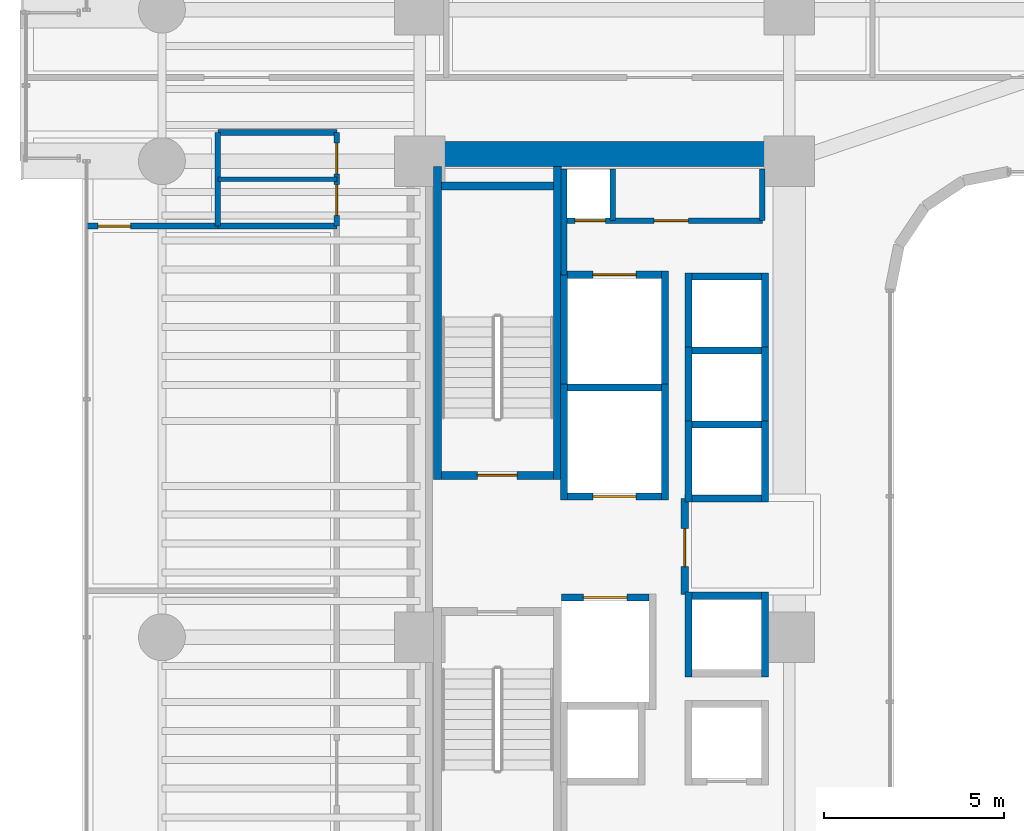
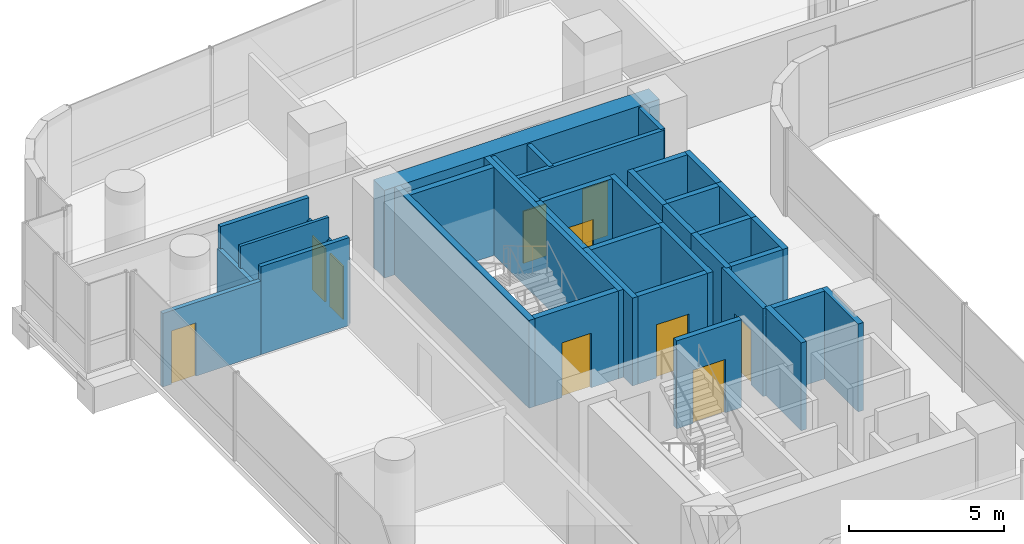
# One storey, part 32 of 40: 37 walls, 10 doors, 10 openings.
"""IFC4 building model written with IfcOpenShell, lengths in metres."""

from ifc_helpers import new_model, si_unit, direction, frame, frame_2d, origin, place, context, subcontext, project, spatial, rectangle, extrude, material, layer, layer_set, type_object, element, fill, save


model = new_model("IFC4")

# Units and contexts
model_context = context("Model", 3, precision=1e-05, world=origin(), true_north=direction((0.0, 1.0)))
body_context = subcontext(model_context, "Body", "Model", "MODEL_VIEW")
ifc_project = project(units=[si_unit("LENGTHUNIT", "METRE"), si_unit("AREAUNIT", "SQUARE_METRE"), si_unit("VOLUMEUNIT", "CUBIC_METRE"), si_unit("PLANEANGLEUNIT", "RADIAN"), si_unit("MASSUNIT", "GRAM", prefix="KILO")], contexts=[model_context])

# Site, building, storey
site_placement = place(None, origin())
site = spatial("IfcSite", under=ifc_project, at=site_placement, CompositionType="ELEMENT")
building_placement = place(site_placement, origin())
building = spatial("IfcBuilding", under=site, at=building_placement, Name="Valdorenza Pilgrim Sanctuary Tower", CompositionType="ELEMENT")
storey_placement = place(building_placement, frame((0.0, 0.0, 51.89990234375)))
storey = spatial("IfcBuildingStorey", under=building, at=storey_placement, Name="L12", CompositionType="ELEMENT", Elevation=51.89990234375)

# Wall
ifc_material_1 = material(Name="Acoustic twin-stud gypsum partition", Category="gypsum")
ifc_layer_1 = layer(ifc_material_1, 0.159912109375, Name="Acoustic twin-stud gypsum partition")
ifc_layer_set_1 = layer_set([ifc_layer_1], Name="Acoustic twin-stud gypsum partition")
wall_type_1 = type_object("IfcWallType", Name="WAL-COR-160", PredefinedType="PARTITIONING", material=ifc_layer_set_1)
wall_1_placement = place(storey_placement, frame((-18.64990234375, 7.449951171875, 0.0), z_axis=(0.0, 0.0, 1.0), x_axis=(0.0, 1.0, 0.0)))
element("IfcWall", 1, at=wall_1_placement, inside=storey, type_object=wall_type_1, Name="L12 Core A North Service West Wall", PredefinedType="PARTITIONING", context=body_context, shape_type="SweptSolid", body=[
    extrude(rectangle(XDim=2.929931640625, YDim=0.159912109375, at=frame_2d((1.46484375, 0.0))), origin(), (0.0, 0.0, 1.0), 3.460205078125),
])

# Wall, openings, doors
wall_2_placement = place(storey_placement, frame((-18.64990234375, 8.949951171875, 0.0), z_axis=(0.0, 0.0, 1.0), x_axis=(1.0, 0.0, 0.0)))
wall_2 = element("IfcWall", 2, at=wall_2_placement, inside=storey, type_object=wall_type_1, Name="L12 Core A North Service South Wall", PredefinedType="PARTITIONING", context=body_context, shape_type="SweptSolid", body=[
    extrude(rectangle(XDim=5.5, YDim=0.159912109375, at=frame_2d((2.75, 0.0))), origin(), (0.0, 0.0, 1.0), 3.460205078125),
])
opening_1_placement = place(wall_2_placement, frame((0.300048828125, 0.0, 0.0)))
opening_1 = element("IfcOpeningElement", 3, at=opening_1_placement, cuts=wall_2, Name="Opening DR-RS1", PredefinedType="OPENING", context=body_context, shape_type="SweptSolid", body=[
    extrude(rectangle(XDim=0.85009765625, YDim=2.050048828125, at=frame_2d((0.425048828125, 1.02490234375))), frame((0.0, 0.0947265625, 0.0), z_axis=(0.0, -1.0, 0.0), x_axis=(1.0, 0.0, 0.0)), (0.0, 0.0, 1.0), 0.189697265625),
])
opening_2_placement = place(wall_2_placement, frame((2.5, 0.0, 0.0)))
opening_2 = element("IfcOpeningElement", 4, at=opening_2_placement, cuts=wall_2, Name="Opening DR-UN1", PredefinedType="OPENING", context=body_context, shape_type="SweptSolid", body=[
    extrude(rectangle(XDim=0.949951171875, YDim=2.14990234375, at=frame_2d((0.47509765625, 1.074951171875))), frame((0.0, 0.0947265625, 0.0), z_axis=(0.0, -1.0, 0.0), x_axis=(1.0, 0.0, 0.0)), (0.0, 0.0, 1.0), 0.189697265625),
])
ifc_material_2 = material(Name="Painted galvanized steel", Category="steel")
door_type_1 = type_object("IfcDoorType", Name="DR-RSR-850", OperationType="NOTDEFINED", PredefinedType="DOOR", material=ifc_material_2)
door_1_placement = place(opening_1_placement, origin())
door_1 = element("IfcDoor", 5, at=door_1_placement, inside=storey, type_object=door_type_1, Name="L12 Core Electrical and Telecom Riser Door", OperationType="SINGLE_SWING_LEFT", OverallHeight=2.050048828125, OverallWidth=0.85009765625, PredefinedType="DOOR", context=body_context, shape_type="SweptSolid", body=[
    extrude(rectangle(XDim=0.85009765625, YDim=2.050048828125, at=frame_2d((0.425048828125, 1.02490234375))), frame((0.0, 0.02490234375, 0.0), z_axis=(0.0, -1.0, 0.0), x_axis=(1.0, 0.0, 0.0)), (0.0, 0.0, 1.0), 0.050048828125),
])
fill(opening_1, door_1)
ifc_material_3 = material(Name="Solid-core European oak timber", Category="wood")
door_type_2 = type_object("IfcDoorType", Name="DR-UNIT-950", OperationType="NOTDEFINED", PredefinedType="DOOR", material=ifc_material_3)
door_2_placement = place(opening_2_placement, origin())
door_2 = element("IfcDoor", 6, at=door_2_placement, inside=storey, type_object=door_type_2, Name="L12 Housekeeping and Clean Linen Room Door", OperationType="SINGLE_SWING_RIGHT", OverallHeight=2.14990234375, OverallWidth=0.949951171875, PredefinedType="DOOR", context=body_context, shape_type="SweptSolid", body=[
    extrude(rectangle(XDim=0.949951171875, YDim=2.14990234375, at=frame_2d((0.47509765625, 1.074951171875))), frame((0.0, 0.02490234375, 0.0), z_axis=(0.0, -1.0, 0.0), x_axis=(1.0, 0.0, 0.0)), (0.0, 0.0, 1.0), 0.050048828125),
])
fill(opening_2, door_2)

# Walls
for number, where, z_axis, x_axis, name in (
    (7, (-13.14990234375, 8.949951171875, 0.0), (0.0, 0.0, 1.0), (0.0, 1.0, 0.0), "L12 Core A North Service East Wall"),
    (8, (-17.300048828125, 8.949951171875, 0.0), (0.0, 0.0, 1.0), (0.0, 1.0, 0.0), "L12 Core Electrical Riser Wall"),
):
    element("IfcWall", number, at=place(storey_placement, frame(where, z_axis=z_axis, x_axis=x_axis)), inside=storey, type_object=wall_type_1, Name=name, PredefinedType="PARTITIONING", context=body_context, shape_type="SweptSolid", body=[
        extrude(rectangle(XDim=1.429931640625, YDim=0.159912109375, at=frame_2d((0.71484375, 0.0))), origin(), (0.0, 0.0, 1.0), 3.460205078125),
    ])
wall_3_placement = place(storey_placement, frame((-28.25, 8.800048828125, 0.0), z_axis=(0.0, 0.0, 1.0), x_axis=(0.0, 1.0, 0.0)))
element("IfcWall", 9, at=wall_3_placement, inside=storey, type_object=wall_type_1, Name="L12 Washroom West Wall", PredefinedType="PARTITIONING", context=body_context, shape_type="SweptSolid", body=[
    extrude(rectangle(XDim=2.599853515625, YDim=0.159912109375, at=frame_2d((1.2998046875, 0.0))), origin(), (0.0, 0.0, 1.0), 2.5830078125),
])

# Wall, openings, doors
wall_4_placement = place(storey_placement, frame((-24.949951171875, 8.800048828125, 0.0), z_axis=(0.0, 0.0, 1.0), x_axis=(0.0, 1.0, 0.0)))
wall_4 = element("IfcWall", 10, at=wall_4_placement, inside=storey, type_object=wall_type_1, Name="L12 Washroom East Wall", PredefinedType="PARTITIONING", context=body_context, shape_type="SweptSolid", body=[
    extrude(rectangle(XDim=2.599853515625, YDim=0.159912109375, at=frame_2d((1.2998046875, 0.0))), origin(), (0.0, 0.0, 1.0), 2.5830078125),
])
opening_3_placement = place(wall_4_placement, frame((0.300048828125, 0.0, 0.0)))
opening_3 = element("IfcOpeningElement", 11, at=opening_3_placement, cuts=wall_4, Name="Opening DR-WC1", PredefinedType="OPENING", context=body_context, shape_type="SweptSolid", body=[
    extrude(rectangle(XDim=0.85009765625, YDim=2.10009765625, at=frame_2d((0.425048828125, 1.050048828125))), frame((0.0, 0.0947265625, 0.0), z_axis=(0.0, -1.0, 0.0), x_axis=(1.0, 0.0, 0.0)), (0.0, 0.0, 1.0), 0.189697265625),
])
opening_4_placement = place(wall_4_placement, frame((1.449951171875, 0.0, 0.0)))
opening_4 = element("IfcOpeningElement", 12, at=opening_4_placement, cuts=wall_4, Name="Opening DR-WC1", PredefinedType="OPENING", context=body_context, shape_type="SweptSolid", body=[
    extrude(rectangle(XDim=0.85009765625, YDim=2.10009765625, at=frame_2d((0.425048828125, 1.050048828125))), frame((0.0, 0.0947265625, 0.0), z_axis=(0.0, -1.0, 0.0), x_axis=(1.0, 0.0, 0.0)), (0.0, 0.0, 1.0), 0.189697265625),
])
ifc_material_4 = material(Name="Moisture-resistant lacquered timber", Category="wood")
door_type_3 = type_object("IfcDoorType", Name="DR-BATH-850", OperationType="NOTDEFINED", PredefinedType="DOOR", material=ifc_material_4)
door_3_placement = place(opening_3_placement, origin())
door_3 = element("IfcDoor", 13, at=door_3_placement, inside=storey, type_object=door_type_3, Name="L12 Accessible Washroom Door", OperationType="SINGLE_SWING_LEFT", OverallHeight=2.10009765625, OverallWidth=0.85009765625, PredefinedType="DOOR", context=body_context, shape_type="SweptSolid", body=[
    extrude(rectangle(XDim=0.85009765625, YDim=2.10009765625, at=frame_2d((0.425048828125, 1.050048828125))), frame((0.0, 0.02490234375, 0.0), z_axis=(0.0, -1.0, 0.0), x_axis=(1.0, 0.0, 0.0)), (0.0, 0.0, 1.0), 0.050048828125),
])
fill(opening_3, door_3)
door_4_placement = place(opening_4_placement, origin())
door_4 = element("IfcDoor", 14, at=door_4_placement, inside=storey, type_object=door_type_3, Name="L12 Public Washroom Door", OperationType="SINGLE_SWING_RIGHT", OverallHeight=2.10009765625, OverallWidth=0.85009765625, PredefinedType="DOOR", context=body_context, shape_type="SweptSolid", body=[
    extrude(rectangle(XDim=0.85009765625, YDim=2.10009765625, at=frame_2d((0.425048828125, 1.050048828125))), frame((0.0, 0.02490234375, 0.0), z_axis=(0.0, -1.0, 0.0), x_axis=(1.0, 0.0, 0.0)), (0.0, 0.0, 1.0), 0.050048828125),
])
fill(opening_4, door_4)

# Walls
for number, where, z_axis, x_axis, name in (
    (15, (-28.25, 8.800048828125, 0.0), (0.0, 0.0, 1.0), (1.0, 0.0, 0.0), "L12 Washroom South Wall"),
    (16, (-28.25, 11.39990234375, 0.0), (0.0, 0.0, 1.0), (1.0, 0.0, 0.0), "L12 Washroom North Wall"),
):
    element("IfcWall", number, at=place(storey_placement, frame(where, z_axis=z_axis, x_axis=x_axis)), inside=storey, type_object=wall_type_1, Name=name, PredefinedType="PARTITIONING", context=body_context, shape_type="SweptSolid", body=[
        extrude(rectangle(XDim=3.300048828125, YDim=0.159912109375, at=frame_2d((1.64990234375, 0.0))), origin(), (0.0, 0.0, 1.0), 3.460205078125),
    ])

# Wall, opening, door
wall_5_placement = place(storey_placement, frame((-31.889892578125, 8.800048828125, 0.0), z_axis=(0.0, 0.0, 1.0), x_axis=(1.0, 0.0, 0.0)))
wall_5 = element("IfcWall", 17, at=wall_5_placement, inside=storey, type_object=wall_type_1, Name="L12 West North Alcove Wall", PredefinedType="PARTITIONING", context=body_context, shape_type="SweptSolid", body=[
    extrude(rectangle(XDim=3.639892578125, YDim=0.159912109375, at=frame_2d((1.81982421875, 0.0))), origin(), (0.0, 0.0, 1.0), 2.89599609375),
])
opening_5_placement = place(wall_5_placement, frame((0.320068359375, 0.0, 0.0)))
opening_5 = element("IfcOpeningElement", 18, at=opening_5_placement, cuts=wall_5, Name="Opening DR-RM1", PredefinedType="OPENING", context=body_context, shape_type="SweptSolid", body=[
    extrude(rectangle(XDim=0.89990234375, YDim=2.10009765625, at=frame_2d((0.449951171875, 1.050048828125))), frame((0.0, 0.0947265625, 0.0), z_axis=(0.0, -1.0, 0.0), x_axis=(1.0, 0.0, 0.0)), (0.0, 0.0, 1.0), 0.189697265625),
])
door_type_4 = type_object("IfcDoorType", Name="DR-ROOM-900", OperationType="NOTDEFINED", PredefinedType="DOOR", material=ifc_material_3)
door_5_placement = place(opening_5_placement, frame((0.89990234375, 0.0, 0.0), z_axis=(0.0, 0.0, 1.0), x_axis=(-1.0, 0.0, 0.0)))
door_5 = element("IfcDoor", 19, at=door_5_placement, inside=storey, type_object=door_type_4, Name="L12 Pilgrim Scholar Office L12-WN Door", OperationType="SINGLE_SWING_LEFT", OverallHeight=2.10009765625, OverallWidth=0.89990234375, PredefinedType="DOOR", context=body_context, shape_type="SweptSolid", body=[
    extrude(rectangle(XDim=0.89990234375, YDim=2.10009765625, at=frame_2d((0.449951171875, 1.050048828125))), frame((0.0, 0.02490234375, 0.0), z_axis=(0.0, -1.0, 0.0), x_axis=(1.0, 0.0, 0.0)), (0.0, 0.0, 1.0), 0.050048828125),
])
fill(opening_5, door_5)

# Wall
ifc_material_5 = material(Name="Concrete C60/75", Category="concrete")
ifc_layer_2 = layer(ifc_material_5, 0.699951171875, Name="Concrete C60/75")
ifc_layer_set_2 = layer_set([ifc_layer_2], Name="Concrete C60/75")
wall_type_2 = type_object("IfcWallType", Name="WAL-COR-700", PredefinedType="SHEAR", material=ifc_layer_set_2)
wall_6_placement = place(storey_placement, frame((-22.64990234375, 10.800048828125, 0.0), z_axis=(0.0, 0.0, 1.0), x_axis=(1.0, 0.0, 0.0)))
element("IfcWall", 20, at=wall_6_placement, inside=storey, type_object=wall_type_2, Name="L12 Split Core A Shear Wall N", PredefinedType="SHEAR", context=body_context, shape_type="SweptSolid", body=[
    extrude(rectangle(XDim=10.25, YDim=0.699951171875, at=frame_2d((5.125, 0.0))), origin(), (0.0, 0.0, 1.0), 3.460205078125),
])

# Wall, opening, door
ifc_material_6 = material(Name="Gypsum shaftwall partition", Category="gypsum")
ifc_layer_3 = layer(ifc_material_6, 0.199951171875, Name="Gypsum shaftwall partition")
ifc_layer_set_3 = layer_set([ifc_layer_3], Name="Gypsum shaftwall partition")
wall_type_3 = type_object("IfcWallType", Name="WAL-FFL-200", PredefinedType="PARTITIONING", material=ifc_layer_set_3)
wall_7_placement = place(storey_placement, frame((-15.300048828125, -1.419921875, 0.0), z_axis=(0.0, 0.0, 1.0), x_axis=(0.0, 1.0, 0.0)))
wall_7 = element("IfcWall", 21, at=wall_7_placement, inside=storey, type_object=wall_type_3, Name="L12 Core A Firefighting Lobby East Wall", PredefinedType="PARTITIONING", context=body_context, shape_type="SweptSolid", body=[
    extrude(rectangle(XDim=2.669921875, YDim=0.199951171875, at=frame_2d((1.3349609375, 0.0))), origin(), (0.0, 0.0, 1.0), 3.460205078125),
])
opening_6_placement = place(wall_7_placement, frame((0.780029296875, 0.0, 0.0)))
opening_6 = element("IfcOpeningElement", 22, at=opening_6_placement, cuts=wall_7, Name="Opening DR-FL1", PredefinedType="OPENING", context=body_context, shape_type="SweptSolid", body=[
    extrude(rectangle(XDim=1.050048828125, YDim=2.14990234375, at=frame_2d((0.52490234375, 1.074951171875))), frame((0.0, 0.11474609375, 0.0), z_axis=(0.0, -1.0, 0.0), x_axis=(1.0, 0.0, 0.0)), (0.0, 0.0, 1.0), 0.229736328125),
])
door_type_5 = type_object("IfcDoorType", Name="DR-FFL-1050", OperationType="NOTDEFINED", PredefinedType="DOOR", material=ifc_material_2)
door_6_placement = place(opening_6_placement, origin())
door_6 = element("IfcDoor", 23, at=door_6_placement, inside=storey, type_object=door_type_5, Name="L12 Core A Firefighting Lobby Door", OperationType="SINGLE_SWING_RIGHT", OverallHeight=2.14990234375, OverallWidth=1.050048828125, PredefinedType="DOOR", context=body_context, shape_type="SweptSolid", body=[
    extrude(rectangle(XDim=1.050048828125, YDim=2.14990234375, at=frame_2d((0.52490234375, 1.074951171875))), frame((0.0, 0.02490234375, 0.0), z_axis=(0.0, -1.0, 0.0), x_axis=(1.0, 0.0, 0.0)), (0.0, 0.0, 1.0), 0.050048828125),
])
fill(opening_6, door_6)

# Walls
ifc_material_7 = material(Name="Moisture-resistant gypsum partition", Category="gypsum")
ifc_layer_4 = layer(ifc_material_7, 0.1201171875, Name="Moisture-resistant gypsum partition")
ifc_layer_set_4 = layer_set([ifc_layer_4], Name="Moisture-resistant gypsum partition")
wall_type_4 = type_object("IfcWallType", Name="WAL-INT-120", PredefinedType="PARTITIONING", material=ifc_layer_set_4)
wall_8_placement = place(storey_placement, frame((-28.25, 10.10009765625, 0.0), z_axis=(0.0, 0.0, 1.0), x_axis=(1.0, 0.0, 0.0)))
element("IfcWall", 24, at=wall_8_placement, inside=storey, type_object=wall_type_4, Name="L12 Washroom Divider Wall", PredefinedType="PARTITIONING", context=body_context, shape_type="SweptSolid", body=[
    extrude(rectangle(XDim=3.300048828125, YDim=0.1201171875, at=frame_2d((1.64990234375, 0.0))), origin(), (0.0, 0.0, 1.0), 3.460205078125),
])
ifc_material_8 = material(Name="Autoclaved aerated concrete blockwork", Category="masonry")
ifc_layer_5 = layer(ifc_material_8, 0.199951171875, Name="Autoclaved aerated concrete blockwork")
ifc_layer_set_5 = layer_set([ifc_layer_5], Name="Autoclaved aerated concrete blockwork")
wall_type_5 = type_object("IfcWallType", Name="WAL-SHF-200", PredefinedType="MOVABLE", material=ifc_layer_set_5)
for number, where, z_axis, x_axis, name in (
    (25, (-18.64990234375, 1.199951171875, 0.0), (0.0, 0.0, 1.0), (0.0, 1.0, 0.0), "L12 Lift FFL-01 Hoistway Wall West"),
    (26, (-15.85009765625, 1.199951171875, 0.0), (0.0, 0.0, 1.0), (0.0, 1.0, 0.0), "L12 Lift FFL-01 Hoistway Wall East"),
):
    element("IfcWall", number, at=place(storey_placement, frame(where, z_axis=z_axis, x_axis=x_axis)), inside=storey, type_object=wall_type_5, Name=name, PredefinedType="MOVABLE", context=body_context, shape_type="SweptSolid", body=[
        extrude(rectangle(XDim=3.22509765625, YDim=0.199951171875, at=frame_2d((1.612548828125, 0.0))), origin(), (0.0, 0.0, 1.0), 3.460205078125),
    ])

# Wall, opening, door
wall_9_placement = place(storey_placement, frame((-18.550048828125, 1.300048828125, 0.0), z_axis=(0.0, 0.0, 1.0), x_axis=(1.0, 0.0, 0.0)))
wall_9 = element("IfcWall", 27, at=wall_9_placement, inside=storey, type_object=wall_type_5, Name="L12 Lift FFL-01 Hoistway Wall South", PredefinedType="MOVABLE", context=body_context, shape_type="SweptSolid", body=[
    extrude(rectangle(XDim=2.60009765625, YDim=0.199951171875, at=frame_2d((1.300048828125, 0.0))), origin(), (0.0, 0.0, 1.0), 3.460205078125),
])
opening_7_placement = place(wall_9_placement, frame((0.699951171875, 0.0, 0.0)))
opening_7 = element("IfcOpeningElement", 28, at=opening_7_placement, cuts=wall_9, Name="Opening LD-02", PredefinedType="OPENING", context=body_context, shape_type="SweptSolid", body=[
    extrude(rectangle(XDim=1.199951171875, YDim=2.10009765625, at=frame_2d((0.60009765625, 1.050048828125))), frame((0.0, 0.11474609375, 0.0), z_axis=(0.0, -1.0, 0.0), x_axis=(1.0, 0.0, 0.0)), (0.0, 0.0, 1.0), 0.229736328125),
])
ifc_material_9 = material(Name="Brushed stainless steel Grade 316", Category="steel")
door_type_6 = type_object("IfcDoorType", Name="DR-LFT-1200", OperationType="DOUBLE_DOOR_SLIDING", PredefinedType="DOOR", material=ifc_material_9)
door_7_placement = place(opening_7_placement, origin())
door_7 = element("IfcDoor", 29, at=door_7_placement, inside=storey, type_object=door_type_6, Name="L12 Lift FFL-01 Sliding Landing Door", OperationType="DOUBLE_DOOR_SLIDING", OverallHeight=2.10009765625, OverallWidth=1.199951171875, PredefinedType="DOOR", context=body_context, shape_type="SweptSolid", body=[
    extrude(rectangle(XDim=1.199951171875, YDim=2.10009765625, at=frame_2d((0.60009765625, 1.050048828125))), frame((0.0, 0.02490234375, 0.0), z_axis=(0.0, -1.0, 0.0), x_axis=(1.0, 0.0, 0.0)), (0.0, 0.0, 1.0), 0.050048828125),
])
fill(opening_7, door_7)

# Wall
wall_10_placement = place(storey_placement, frame((-18.550048828125, 4.324951171875, 0.0), z_axis=(0.0, 0.0, 1.0), x_axis=(1.0, 0.0, 0.0)))
element("IfcWall", 30, at=wall_10_placement, inside=storey, type_object=wall_type_5, Name="L12 Lift FFL-01 Hoistway Wall North", PredefinedType="MOVABLE", context=body_context, shape_type="SweptSolid", body=[
    extrude(rectangle(XDim=2.60009765625, YDim=0.199951171875, at=frame_2d((1.300048828125, 0.0))), origin(), (0.0, 0.0, 1.0), 3.460205078125),
])

# Wall, opening, door
wall_11_placement = place(storey_placement, frame((-18.719970703125, -1.5, 0.0), z_axis=(0.0, 0.0, 1.0), x_axis=(1.0, 0.0, 0.0)))
wall_11 = element("IfcWall", 31, at=wall_11_placement, inside=storey, type_object=wall_type_5, Name="L12 Lift FFL-02 Hoistway Wall North", PredefinedType="MOVABLE", context=body_context, shape_type="SweptSolid", body=[
    extrude(rectangle(XDim=2.419921875, YDim=0.199951171875, at=frame_2d((1.2099609375, 0.0))), origin(), (0.0, 0.0, 1.0), 3.460205078125),
])
opening_8_placement = place(wall_11_placement, frame((0.610107421875, 0.0, 0.0)))
opening_8 = element("IfcOpeningElement", 32, at=opening_8_placement, cuts=wall_11, Name="Opening LD-02", PredefinedType="OPENING", context=body_context, shape_type="SweptSolid", body=[
    extrude(rectangle(XDim=1.199951171875, YDim=2.10009765625, at=frame_2d((0.60009765625, 1.050048828125))), frame((0.0, 0.11474609375, 0.0), z_axis=(0.0, -1.0, 0.0), x_axis=(1.0, 0.0, 0.0)), (0.0, 0.0, 1.0), 0.229736328125),
])
door_8_placement = place(opening_8_placement, origin())
door_8 = element("IfcDoor", 33, at=door_8_placement, inside=storey, type_object=door_type_6, Name="L12 Lift FFL-02 Sliding Landing Door", OperationType="DOUBLE_DOOR_SLIDING", OverallHeight=2.10009765625, OverallWidth=1.199951171875, PredefinedType="DOOR", context=body_context, shape_type="SweptSolid", body=[
    extrude(rectangle(XDim=1.199951171875, YDim=2.10009765625, at=frame_2d((0.60009765625, 1.050048828125))), frame((0.0, 0.02490234375, 0.0), z_axis=(0.0, -1.0, 0.0), x_axis=(1.0, 0.0, 0.0)), (0.0, 0.0, 1.0), 0.050048828125),
])
fill(opening_8, door_8)

# Walls
for number, where, z_axis, x_axis, name in (
    (34, (-18.64990234375, 4.22509765625, 0.0), (0.0, 0.0, 1.0), (0.0, 1.0, 0.0), "L12 Lift SVL-01 Hoistway Wall West"),
    (35, (-15.85009765625, 4.22509765625, 0.0), (0.0, 0.0, 1.0), (0.0, 1.0, 0.0), "L12 Lift SVL-01 Hoistway Wall East"),
):
    element("IfcWall", number, at=place(storey_placement, frame(where, z_axis=z_axis, x_axis=x_axis)), inside=storey, type_object=wall_type_5, Name=name, PredefinedType="MOVABLE", context=body_context, shape_type="SweptSolid", body=[
        extrude(rectangle(XDim=3.324951171875, YDim=0.199951171875, at=frame_2d((1.66259765625, 0.0))), origin(), (0.0, 0.0, 1.0), 3.460205078125),
    ])

# Wall, opening, door
wall_12_placement = place(storey_placement, frame((-18.550048828125, 7.449951171875, 0.0), z_axis=(0.0, 0.0, 1.0), x_axis=(1.0, 0.0, 0.0)))
wall_12 = element("IfcWall", 36, at=wall_12_placement, inside=storey, type_object=wall_type_5, Name="L12 Lift SVL-01 Hoistway Wall North", PredefinedType="MOVABLE", context=body_context, shape_type="SweptSolid", body=[
    extrude(rectangle(XDim=2.60009765625, YDim=0.199951171875, at=frame_2d((1.300048828125, 0.0))), origin(), (0.0, 0.0, 1.0), 3.460205078125),
])
opening_9_placement = place(wall_12_placement, frame((0.699951171875, 0.0, 0.0)))
opening_9 = element("IfcOpeningElement", 37, at=opening_9_placement, cuts=wall_12, Name="Opening LD-02", PredefinedType="OPENING", context=body_context, shape_type="SweptSolid", body=[
    extrude(rectangle(XDim=1.199951171875, YDim=2.10009765625, at=frame_2d((0.60009765625, 1.050048828125))), frame((0.0, 0.11474609375, 0.0), z_axis=(0.0, -1.0, 0.0), x_axis=(1.0, 0.0, 0.0)), (0.0, 0.0, 1.0), 0.229736328125),
])
door_9_placement = place(opening_9_placement, origin())
door_9 = element("IfcDoor", 38, at=door_9_placement, inside=storey, type_object=door_type_6, Name="L12 Lift SVL-01 Sliding Landing Door", OperationType="DOUBLE_DOOR_SLIDING", OverallHeight=2.10009765625, OverallWidth=1.199951171875, PredefinedType="DOOR", context=body_context, shape_type="SweptSolid", body=[
    extrude(rectangle(XDim=1.199951171875, YDim=2.10009765625, at=frame_2d((0.60009765625, 1.050048828125))), frame((0.0, 0.02490234375, 0.0), z_axis=(0.0, -1.0, 0.0), x_axis=(1.0, 0.0, 0.0)), (0.0, 0.0, 1.0), 0.050048828125),
])
fill(opening_9, door_9)

# Walls
for number, where, z_axis, x_axis, name in (
    (39, (-15.199951171875, 1.14990234375, 0.0), (0.0, 0.0, 1.0), (0.0, 1.0, 0.0), "L12 Lift PL-06 Hoistway Wall West"),
    (40, (-13.080078125, 1.14990234375, 0.0), (0.0, 0.0, 1.0), (0.0, 1.0, 0.0), "L12 Lift PL-06 Hoistway Wall East"),
):
    element("IfcWall", number, at=place(storey_placement, frame(where, z_axis=z_axis, x_axis=x_axis)), inside=storey, type_object=wall_type_5, Name=name, PredefinedType="MOVABLE", context=body_context, shape_type="SweptSolid", body=[
        extrude(rectangle(XDim=2.25, YDim=0.199951171875, at=frame_2d((1.125, 0.0))), origin(), (0.0, 0.0, 1.0), 3.460205078125),
    ])
wall_13_placement = place(storey_placement, frame((-15.10009765625, 1.25, 0.0), z_axis=(0.0, 0.0, 1.0), x_axis=(1.0, 0.0, 0.0)))
element("IfcWall", 41, at=wall_13_placement, inside=storey, type_object=wall_type_5, Name="L12 Lift PL-06 Hoistway Wall South", PredefinedType="MOVABLE", context=body_context, shape_type="SweptSolid", body=[
    extrude(rectangle(XDim=1.920166015625, YDim=0.199951171875, at=frame_2d((0.9599609375, 0.0))), origin(), (0.0, 0.0, 1.0), 3.460205078125),
])
for number, where, z_axis, x_axis, name in (
    (42, (-15.199951171875, 3.199951171875, 0.0), (0.0, 0.0, 1.0), (0.0, 1.0, 0.0), "L12 Lift PL-09 Hoistway Wall West"),
    (43, (-13.080078125, 3.199951171875, 0.0), (0.0, 0.0, 1.0), (0.0, 1.0, 0.0), "L12 Lift PL-09 Hoistway Wall East"),
):
    element("IfcWall", number, at=place(storey_placement, frame(where, z_axis=z_axis, x_axis=x_axis)), inside=storey, type_object=wall_type_5, Name=name, PredefinedType="MOVABLE", context=body_context, shape_type="SweptSolid", body=[
        extrude(rectangle(XDim=2.25, YDim=0.199951171875, at=frame_2d((1.125, 0.0))), origin(), (0.0, 0.0, 1.0), 3.460205078125),
    ])
for number, where, z_axis, x_axis, name in (
    (44, (-15.10009765625, 3.300048828125, 0.0), (0.0, 0.0, 1.0), (1.0, 0.0, 0.0), "L12 Lift PL-09 Hoistway Wall South"),
    (45, (-15.10009765625, 5.35009765625, 0.0), (0.0, 0.0, 1.0), (1.0, 0.0, 0.0), "L12 Lift PL-09 Hoistway Wall North"),
):
    element("IfcWall", number, at=place(storey_placement, frame(where, z_axis=z_axis, x_axis=x_axis)), inside=storey, type_object=wall_type_5, Name=name, PredefinedType="MOVABLE", context=body_context, shape_type="SweptSolid", body=[
        extrude(rectangle(XDim=1.920166015625, YDim=0.199951171875, at=frame_2d((0.9599609375, 0.0))), origin(), (0.0, 0.0, 1.0), 3.460205078125),
    ])
for number, where, z_axis, x_axis, name in (
    (46, (-15.199951171875, 5.25, 0.0), (0.0, 0.0, 1.0), (0.0, 1.0, 0.0), "L12 Lift PL-10 Hoistway Wall West"),
    (47, (-13.080078125, 5.25, 0.0), (0.0, 0.0, 1.0), (0.0, 1.0, 0.0), "L12 Lift PL-10 Hoistway Wall East"),
):
    element("IfcWall", number, at=place(storey_placement, frame(where, z_axis=z_axis, x_axis=x_axis)), inside=storey, type_object=wall_type_5, Name=name, PredefinedType="MOVABLE", context=body_context, shape_type="SweptSolid", body=[
        extrude(rectangle(XDim=2.25, YDim=0.199951171875, at=frame_2d((1.125, 0.0))), origin(), (0.0, 0.0, 1.0), 3.460205078125),
    ])
wall_14_placement = place(storey_placement, frame((-15.10009765625, 7.39990234375, 0.0), z_axis=(0.0, 0.0, 1.0), x_axis=(1.0, 0.0, 0.0)))
element("IfcWall", 48, at=wall_14_placement, inside=storey, type_object=wall_type_5, Name="L12 Lift PL-10 Hoistway Wall North", PredefinedType="MOVABLE", context=body_context, shape_type="SweptSolid", body=[
    extrude(rectangle(XDim=1.920166015625, YDim=0.199951171875, at=frame_2d((0.9599609375, 0.0))), origin(), (0.0, 0.0, 1.0), 3.460205078125),
])
for number, where, z_axis, x_axis, name in (
    (49, (-15.199951171875, -3.699951171875, 0.0), (0.0, 0.0, 1.0), (0.0, 1.0, 0.0), "L12 Lift PL-12 Hoistway Wall West"),
    (50, (-13.080078125, -3.699951171875, 0.0), (0.0, 0.0, 1.0), (0.0, 1.0, 0.0), "L12 Lift PL-12 Hoistway Wall East"),
):
    element("IfcWall", number, at=place(storey_placement, frame(where, z_axis=z_axis, x_axis=x_axis)), inside=storey, type_object=wall_type_5, Name=name, PredefinedType="MOVABLE", context=body_context, shape_type="SweptSolid", body=[
        extrude(rectangle(XDim=2.349853515625, YDim=0.199951171875, at=frame_2d((1.1748046875, 0.0))), origin(), (0.0, 0.0, 1.0), 3.460205078125),
    ])
wall_15_placement = place(storey_placement, frame((-15.10009765625, -1.449951171875, 0.0), z_axis=(0.0, 0.0, 1.0), x_axis=(1.0, 0.0, 0.0)))
element("IfcWall", 51, at=wall_15_placement, inside=storey, type_object=wall_type_5, Name="L12 Lift PL-12 Hoistway Wall North", PredefinedType="MOVABLE", context=body_context, shape_type="SweptSolid", body=[
    extrude(rectangle(XDim=1.920166015625, YDim=0.199951171875, at=frame_2d((0.9599609375, 0.0))), origin(), (0.0, 0.0, 1.0), 3.460205078125),
])
ifc_material_10 = material(Name="Concrete C40/50", Category="concrete")
ifc_layer_6 = layer(ifc_material_10, 0.219970703125, Name="Concrete C40/50")
ifc_layer_set_6 = layer_set([ifc_layer_6], Name="Concrete C40/50")
wall_type_6 = type_object("IfcWallType", Name="WAL-STR-SHF-220", PredefinedType="SHEAR", material=ifc_layer_set_6)
for number, where, z_axis, x_axis, name in (
    (52, (-22.159912109375, 1.780029296875, 0.0), (0.0, 0.0, 1.0), (0.0, 1.0, 0.0), "L12 ST-A1 Structural Stairwell Wall W"),
    (53, (-18.830078125, 1.780029296875, 0.0), (0.0, 0.0, 1.0), (0.0, 1.0, 0.0), "L12 ST-A1 Structural Stairwell Wall E"),
):
    element("IfcWall", number, at=place(storey_placement, frame(where, z_axis=z_axis, x_axis=x_axis)), inside=storey, type_object=wall_type_6, Name=name, PredefinedType="SHEAR", context=body_context, shape_type="SweptSolid", body=[
        extrude(rectangle(XDim=8.669921875, YDim=0.219970703125, at=frame_2d((4.3349609375, 0.0))), origin(), (0.0, 0.0, 1.0), 3.460205078125),
    ])

# Wall, opening, door
wall_16_placement = place(storey_placement, frame((-22.050048828125, 1.889892578125, 0.0), z_axis=(0.0, 0.0, 1.0), x_axis=(1.0, 0.0, 0.0)))
wall_16 = element("IfcWall", 54, at=wall_16_placement, inside=storey, type_object=wall_type_6, Name="L12 ST-A1 Structural Stairwell Wall S", PredefinedType="SHEAR", context=body_context, shape_type="SweptSolid", body=[
    extrude(rectangle(XDim=3.110107421875, YDim=0.219970703125, at=frame_2d((1.55517578125, 0.0))), origin(), (0.0, 0.0, 1.0), 3.460205078125),
])
opening_10_placement = place(wall_16_placement, frame((1.0, 0.0, 0.0)))
opening_10 = element("IfcOpeningElement", 55, at=opening_10_placement, cuts=wall_16, Name="Opening DR-ST1", PredefinedType="OPENING", context=body_context, shape_type="SweptSolid", body=[
    extrude(rectangle(XDim=1.10009765625, YDim=2.14990234375, at=frame_2d((0.550048828125, 1.074951171875))), frame((0.0, 0.125, 0.0), z_axis=(0.0, -1.0, 0.0), x_axis=(1.0, 0.0, 0.0)), (0.0, 0.0, 1.0), 0.249755859375),
])
door_type_7 = type_object("IfcDoorType", Name="DR-STAIR-1100", OperationType="NOTDEFINED", PredefinedType="DOOR", material=ifc_material_2)
door_10_placement = place(opening_10_placement, frame((1.10009765625, 0.0, 0.0), z_axis=(0.0, 0.0, 1.0), x_axis=(-1.0, 0.0, 0.0)))
door_10 = element("IfcDoor", 56, at=door_10_placement, inside=storey, type_object=door_type_7, Name="L12 Exit Stair ST-A1 Door", OperationType="SINGLE_SWING_LEFT", OverallHeight=2.14990234375, OverallWidth=1.10009765625, PredefinedType="DOOR", context=body_context, shape_type="SweptSolid", body=[
    extrude(rectangle(XDim=1.10009765625, YDim=2.14990234375, at=frame_2d((0.550048828125, 1.074951171875))), frame((0.0, 0.02490234375, 0.0), z_axis=(0.0, -1.0, 0.0), x_axis=(1.0, 0.0, 0.0)), (0.0, 0.0, 1.0), 0.050048828125),
])
fill(opening_10, door_10)

# Wall
wall_17_placement = place(storey_placement, frame((-22.050048828125, 9.909912109375, 0.0), z_axis=(0.0, 0.0, 1.0), x_axis=(1.0, 0.0, 0.0)))
element("IfcWall", 57, at=wall_17_placement, inside=storey, type_object=wall_type_6, Name="L12 ST-A1 Structural Stairwell Wall N", PredefinedType="SHEAR", context=body_context, shape_type="SweptSolid", body=[
    extrude(rectangle(XDim=3.110107421875, YDim=0.219970703125, at=frame_2d((1.55517578125, 0.0))), origin(), (0.0, 0.0, 1.0), 3.460205078125),
])

save(model, "model.ifc")
